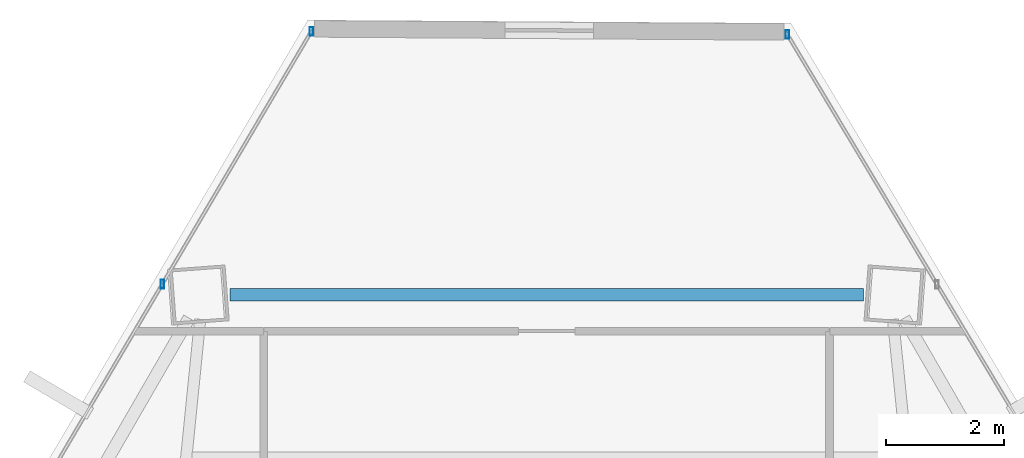
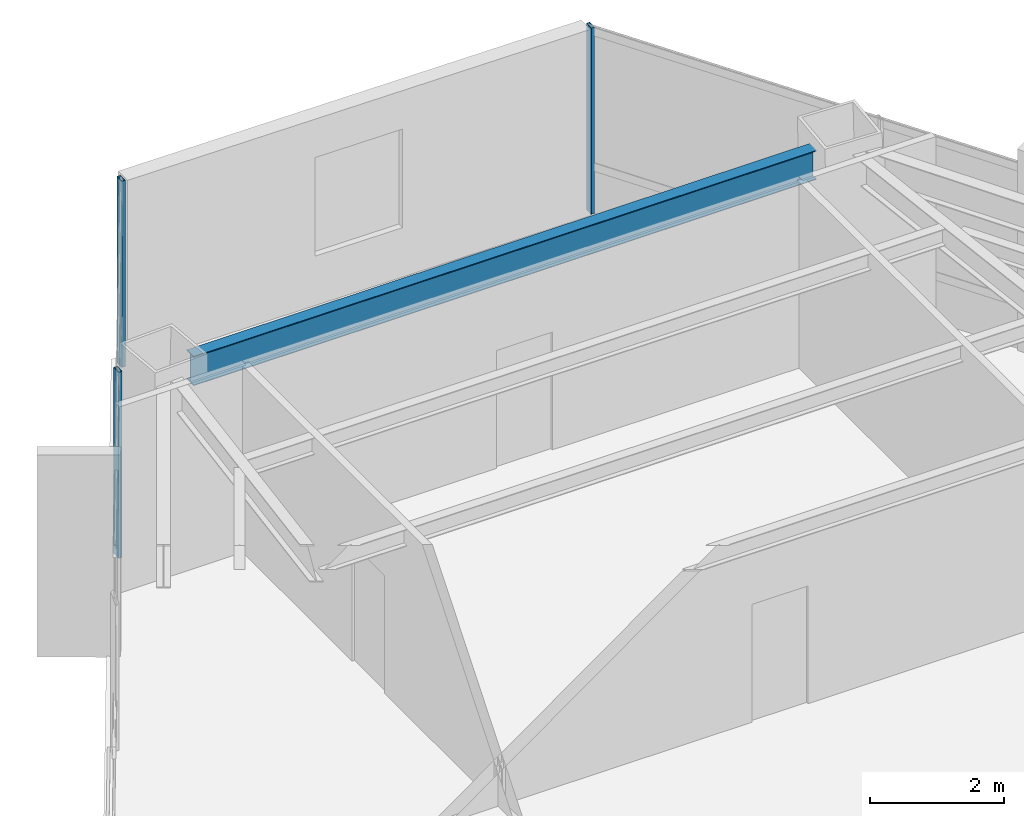
# One storey, part 30 of 41: 3 members, 1 beam, 2 elements without a shape of their own.
"""IFC4 building model written with IfcOpenShell, lengths in metres."""

from ifc_helpers import new_model, si_unit, direction, frame, origin, origin_2d, place, context, subcontext, project, spatial, hollow_rectangle, i_section, extrude, source, transform, mapped, material, material_profile, profile_set, type_object, type_shapes, element, aggregate, save


model = new_model("IFC4")

# Units and contexts
model_context = context("Model", 3, precision=1e-05, world=origin(), true_north=direction((0.0, 1.0)))
body_context = subcontext(model_context, "Body", "Model", "MODEL_VIEW")
ifc_project = project(units=[si_unit("LENGTHUNIT", "METRE"), si_unit("AREAUNIT", "SQUARE_METRE"), si_unit("VOLUMEUNIT", "CUBIC_METRE"), si_unit("PLANEANGLEUNIT", "RADIAN"), si_unit("MASSUNIT", "GRAM", prefix="KILO")], contexts=[model_context])

# Site, building, storey
site_placement = place(None, origin())
site = spatial("IfcSite", under=ifc_project, at=site_placement, CompositionType="ELEMENT")
building_placement = place(site_placement, origin())
building = spatial("IfcBuilding", under=site, at=building_placement, Name="Caelisora Broadcast Tower", CompositionType="ELEMENT")
storey_placement = place(building_placement, frame((0.0, 0.0, 169.449951171875)))
storey = spatial("IfcBuildingStorey", under=building, at=storey_placement, Name="L44", CompositionType="ELEMENT", Elevation=169.449951171875)

# Beam
ifc_material_1 = material(Name="Steel Grade 350 (AS/NZS 3679.1)", Category="steel")
ifc_material_profile_1 = material_profile(ifc_material_1, i_section(OverallWidth=0.208984375, OverallDepth=0.532958984375, WebThickness=0.01025390625, FlangeThickness=0.015625, at=origin_2d()), Name="Steel Grade 350 (AS/NZS 3679.1)")
ifc_profile_set_1 = profile_set([ifc_material_profile_1], Name="Steel Grade 350 (AS/NZS 3679.1)")
beam_type = type_object("IfcBeamType", Name="PG05", PredefinedType="BEAM", material=ifc_profile_set_1)
shared_shape_1 = source(origin(), body_context, "Body", "SweptSolid", [
    extrude(i_section(OverallWidth=0.208984375, OverallDepth=0.532958984375, WebThickness=0.01025390625, FlangeThickness=0.015625, at=origin_2d()), origin(), (0.0, 0.0, 1.0), 10.75146484375),
])
type_shapes(beam_type, [shared_shape_1])
beam_placement = place(storey_placement, frame((43.375732421875, 46.528076171875, 3.133544921875), z_axis=(-1.0, 0.0, 0.0), x_axis=(0.0, -1.0, 0.0)))
element("IfcBeam", 1, at=beam_placement, inside=storey, type_object=beam_type, Name="L44 beam PG05", PredefinedType="BEAM", context=body_context, shape_type="MappedRepresentation", body=[
    mapped(shared_shape_1, transform((0.0, 0.0, 0.0), scale=1.0)),
])

# Curtain wall, member
ifc_material_2 = material(Name="Unitised Aluminium and Low-E Glass Curtain Wall", Category="glass")
curtain_wall_type = type_object("IfcCurtainWallType", Name="CW-Z3", PredefinedType="NOTDEFINED", material=ifc_material_2)
curtain_wall_1_placement = place(storey_placement, origin())
curtain_wall_1 = element("IfcCurtainWall", 2, at=curtain_wall_1_placement, inside=storey, type_object=curtain_wall_type, Name="L44 curtain wall CW-Z3", PredefinedType="NOTDEFINED")
ifc_material_3 = material(Name="Aluminium 6063-T6 Anodised Terracotta Bronze", Category="aluminium")
ifc_material_profile_2 = material_profile(ifc_material_3, hollow_rectangle(XDim=0.06005859375, YDim=0.14990234375, WallThickness=0.00341796875, at=origin_2d()), Name="Aluminium 6063-T6 Anodised Terracotta Bronze")
ifc_profile_set_2 = profile_set([ifc_material_profile_2], Name="Aluminium 6063-T6 Anodised Terracotta Bronze")
member_type = type_object("IfcMemberType", Name="CWM-03", PredefinedType="MULLION", material=ifc_profile_set_2)
shared_shape_2 = source(origin(), body_context, "Body", "SweptSolid", [
    extrude(hollow_rectangle(XDim=0.06005859375, YDim=0.14990234375, WallThickness=0.00341796875, at=origin_2d()), origin(), (0.0, 0.0, 1.0), 3.400146484375),
])
type_shapes(member_type, [shared_shape_2])
member_1_placement = place(storey_placement, frame((42.084716796875, 50.943115234375, 0.0), z_axis=(0.0, 0.0, 1.0), x_axis=(1.0, 0.0, 0.0)))
member_1 = element("IfcMember", 3, at=member_1_placement, type_object=member_type, Name="L44-CW-B01 mullion #0", PredefinedType="MULLION", context=body_context, shape_type="MappedRepresentation", body=[
    mapped(shared_shape_2, transform((0.0, 0.0, 0.0), scale=1.0)),
])
aggregate(curtain_wall_1, [member_1])

# Curtain wall, members
curtain_wall_2_placement = place(storey_placement, origin())
curtain_wall_2 = element("IfcCurtainWall", 4, at=curtain_wall_2_placement, inside=storey, type_object=curtain_wall_type, Name="L44 curtain wall CW-Z3", PredefinedType="NOTDEFINED")
member_2_placement = place(storey_placement, frame((31.47998046875, 46.70751953125, 0.0), z_axis=(0.0, 0.0, 1.0), x_axis=(1.0, 0.0, 0.0)))
member_2 = element("IfcMember", 5, at=member_2_placement, type_object=member_type, Name="L44-CW-B11 mullion #2", PredefinedType="MULLION", context=body_context, shape_type="MappedRepresentation", body=[
    mapped(shared_shape_2, transform((0.0, 0.0, 0.0), scale=1.0)),
])
member_3_placement = place(storey_placement, frame((34.008544921875, 50.994873046875, 0.0), z_axis=(0.0, 0.0, 1.0), x_axis=(1.0, 0.0, 0.0)))
member_3 = element("IfcMember", 6, at=member_3_placement, type_object=member_type, Name="L44-CW-B11 mullion #3", PredefinedType="MULLION", context=body_context, shape_type="MappedRepresentation", body=[
    mapped(shared_shape_2, transform((0.0, 0.0, 0.0), scale=1.0)),
])
aggregate(curtain_wall_2, [member_2, member_3])

save(model, "model.ifc")
